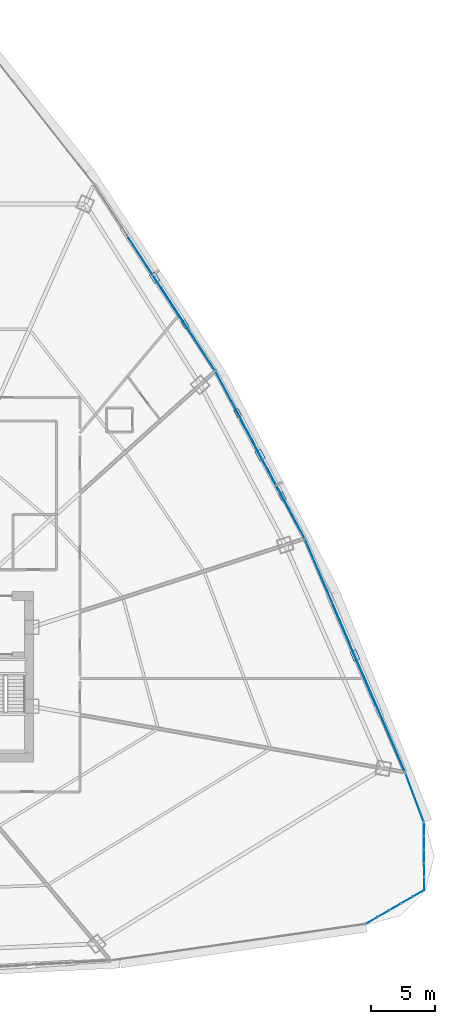
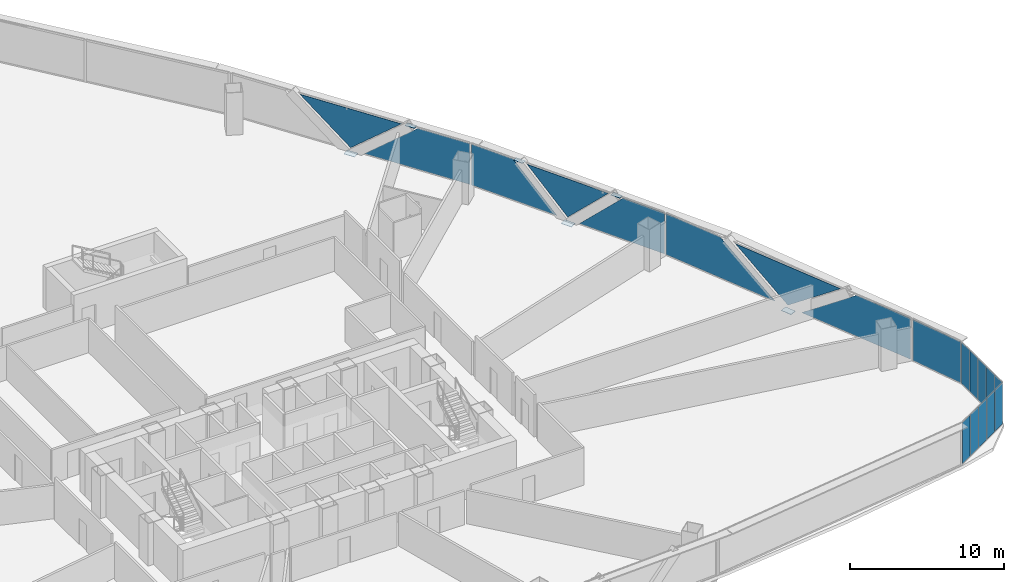
# One storey, part 33 of 42: 25 plates, 6 elements without a shape of their own.
"""IFC4 building model written with IfcOpenShell, lengths in metres."""

import ifcopenshell
import ifcopenshell.guid

model = None  # the IFC model being written
_history = None  # IfcOwnerHistory: only IFC2X3 demands one
_inside = {}  # id of a spatial element -> (the spatial element, [elements in it])
_under = {}  # id of a project, library or spatial element -> (it, [spatial elements below it])
_declared = {}  # id of a project -> (the project, [libraries it declares])
_typed = {}  # id of a type object -> (the type object, [elements of that type])
_made_of = {}  # id of a material, layer set ... -> (it, [elements and type objects made of it])


def new_model(schema):
    """Start an empty IFC model of exactly this schema.

    Asked for "IFC4X3", IfcOpenShell would pick the latest addendum, in which some entities
    have other attributes; the version numbers below select the first issue.
    IFC2X3 requires an IfcOwnerHistory on every rooted entity: one is made here for all.
    """
    global model, _history
    if schema == "IFC4X3":
        model = ifcopenshell.file(schema_version=(4, 3, 0, 0))
    else:
        model = ifcopenshell.file(schema=schema)
    _inside.clear()
    _under.clear()
    _declared.clear()
    _typed.clear()
    _made_of.clear()
    _history = None
    if model.schema == "IFC2X3":
        org = make("IfcOrganization", Name="unknown")
        user = make(
            "IfcPersonAndOrganization",
            ThePerson=make("IfcPerson", FamilyName="unknown"),
            TheOrganization=org,
        )
        app = make(
            "IfcApplication",
            ApplicationDeveloper=org,
            Version="unknown",
            ApplicationFullName="unknown",
            ApplicationIdentifier="unknown",
        )
        _history = make(
            "IfcOwnerHistory",
            OwningUser=user,
            OwningApplication=app,
            ChangeAction="ADDED",
            CreationDate=0,
        )
    return model


def make(cls, **values):
    """One entity of the class cls with the attributes given. An attribute that is None is left unset."""
    return model.create_entity(
        cls, **{name: value for name, value in values.items() if value is not None}
    )


def rooted(cls, **values):
    """An entity with a GlobalId (a new one), such as an element, a storey or a relation."""
    return make(cls, GlobalId=ifcopenshell.guid.new(), OwnerHistory=_history, **values)


def si_unit(unit_type, name, prefix=None):
    """IfcSIUnit, for example si_unit("LENGTHUNIT", "METRE", prefix="MILLI")."""
    return make("IfcSIUnit", UnitType=unit_type, Prefix=prefix, Name=name)


def assignment(units):
    """IfcUnitAssignment: the units of a project."""
    return None if units is None else make("IfcUnitAssignment", Units=units)


def point(xyz):
    """IfcCartesianPoint."""
    return None if xyz is None else make("IfcCartesianPoint", Coordinates=xyz)


def direction(xyz):
    """IfcDirection."""
    return None if xyz is None else make("IfcDirection", DirectionRatios=xyz)


def frame(location, z_axis=None, x_axis=None):
    """IfcAxis2Placement3D, a coordinate frame: its origin and axes. An axis left out is left unset."""
    return make(
        "IfcAxis2Placement3D",
        Location=point(location),
        Axis=direction(z_axis),
        RefDirection=direction(x_axis),
    )


def frame_2d(location, x_axis=None):
    """IfcAxis2Placement2D, a coordinate frame in the plane: its origin and x axis."""
    return make(
        "IfcAxis2Placement2D", Location=point(location), RefDirection=direction(x_axis)
    )


def origin():
    """The frame at (0, 0, 0) with its axes left unset."""
    return frame((0.0, 0.0, 0.0))


def origin_2d():
    """The frame at (0, 0) in the plane with its x axis left unset."""
    return frame_2d((0.0, 0.0))


def place(relative_to, where):
    """IfcLocalPlacement: puts the frame where relative to a parent placement (None: the world)."""
    return make(
        "IfcLocalPlacement", PlacementRelTo=relative_to, RelativePlacement=where
    )


def context(
    kind, dimensions, precision=None, world=None, true_north=None, identifier=None
):
    """IfcGeometricRepresentationContext, for example the 3D "Model" context."""
    return make(
        "IfcGeometricRepresentationContext",
        ContextIdentifier=identifier,
        ContextType=kind,
        CoordinateSpaceDimension=dimensions,
        Precision=precision,
        WorldCoordinateSystem=world,
        TrueNorth=true_north,
    )


def subcontext(parent, identifier, kind, view, scale=None):
    """IfcGeometricRepresentationSubContext, for example "Body" below "Model"."""
    return make(
        "IfcGeometricRepresentationSubContext",
        ContextIdentifier=identifier,
        ContextType=kind,
        ParentContext=parent,
        TargetScale=scale,
        TargetView=view,
    )


def project(units=None, contexts=None):
    """IfcProject with its units and contexts."""
    return rooted(
        "IfcProject",
        Name="project",
        RepresentationContexts=contexts,
        UnitsInContext=assignment(units),
    )


def spatial(cls, under=None, at=None, **own):
    """A site, building, storey or space (cls), placed at a placement, below another one or the project."""
    s = rooted(cls, ObjectPlacement=at, **own)
    if under is not None:
        _under.setdefault(under.id(), (under, []))[1].append(s)
    return s


def polyline(points):
    """IfcPolyline through the points."""
    return make("IfcPolyline", Points=[point(p) for p in points])


def profile(cls, at=None, kind="AREA", **sizes):
    """A parametric profile (cls). Its sizes go by their IFC names, for example OverallWidth=200.0."""
    return make(cls, ProfileType=kind, Position=at, **sizes)


def rectangle(**sizes):
    """IfcRectangleProfileDef."""
    return profile("IfcRectangleProfileDef", **sizes)


def outline(outer, holes=None, kind="AREA"):
    """IfcArbitraryClosedProfileDef: a profile drawn as a closed curve; with holes, ...WithVoids."""
    if holes is None:
        return make("IfcArbitraryClosedProfileDef", ProfileType=kind, OuterCurve=outer)
    return make(
        "IfcArbitraryProfileDefWithVoids",
        ProfileType=kind,
        OuterCurve=outer,
        InnerCurves=holes,
    )


def extrude(swept, where, along, depth):
    """IfcExtrudedAreaSolid: the profile swept, set in the frame where, extruded along a direction by depth."""
    return make(
        "IfcExtrudedAreaSolid",
        SweptArea=swept,
        Position=where,
        ExtrudedDirection=direction(along),
        Depth=depth,
    )


def shape(context_of_items, identifier, shape_type, items):
    """IfcShapeRepresentation: the items that make up one representation, for example the "Body"."""
    return make(
        "IfcShapeRepresentation",
        ContextOfItems=context_of_items,
        RepresentationIdentifier=identifier,
        RepresentationType=shape_type,
        Items=items,
    )


def source(mapping_origin, context_of_items, identifier, shape_type, items):
    """IfcRepresentationMap: a shape defined once, which mapped items show again and again."""
    return make(
        "IfcRepresentationMap",
        MappingOrigin=mapping_origin,
        MappedRepresentation=shape(context_of_items, identifier, shape_type, items),
    )


def transform(
    local_origin,
    x_axis=None,
    y_axis=None,
    z_axis=None,
    scale=None,
    scale2=None,
    scale3=None,
    uniform=True,
):
    """IfcCartesianTransformationOperator3D, or its non-uniform kind. x_axis, y_axis, z_axis: its Axis1, 2, 3."""
    if uniform:
        return make(
            "IfcCartesianTransformationOperator3D",
            Axis1=direction(x_axis),
            Axis2=direction(y_axis),
            LocalOrigin=point(local_origin),
            Scale=scale,
            Axis3=direction(z_axis),
        )
    return make(
        "IfcCartesianTransformationOperator3DnonUniform",
        Axis1=direction(x_axis),
        Axis2=direction(y_axis),
        LocalOrigin=point(local_origin),
        Scale=scale,
        Axis3=direction(z_axis),
        Scale2=scale2,
        Scale3=scale3,
    )


def mapped(mapping_source, mapping_target):
    """IfcMappedItem: shows the shape of a source again, moved by a transform."""
    return make(
        "IfcMappedItem", MappingSource=mapping_source, MappingTarget=mapping_target
    )


def material(Name=None, Category=None):
    """IfcMaterial."""
    return make("IfcMaterial", Name=Name, Category=Category)


def layer(
    of_material, thickness, ventilated=None, Name=None, Category=None, Priority=None
):
    """IfcMaterialLayer: one layer of a wall or slab, of a material (None: an air gap)."""
    return make(
        "IfcMaterialLayer",
        Material=of_material,
        LayerThickness=thickness,
        IsVentilated=ventilated,
        Name=Name,
        Category=Category,
        Priority=Priority,
    )


def layer_set(layers, Name=None):
    """IfcMaterialLayerSet."""
    return make("IfcMaterialLayerSet", MaterialLayers=layers, LayerSetName=Name)


def made_of(thing, what):
    """Note that an element or type object is made of a material, layer set ...; save() writes the relation."""
    if what is not None:
        _made_of.setdefault(what.id(), (what, []))[1].append(thing)
    return thing


def type_object(cls, material=None, **own):
    """A type object (cls), such as IfcWallType, which elements share."""
    return made_of(rooted(cls, **own), material)


def element(
    cls,
    number,
    at=None,
    inside=None,
    cuts=None,
    type_object=None,
    material=None,
    context=None,
    identifier="Body",
    shape_type=None,
    held_by="IfcProductDefinitionShape",
    body=None,
    shapes=None,
    **own,
):
    """One element of the class cls, such as IfcWall. Its Tag is "e" and its number.

    at: its placement. inside: the storey or other place that contains it. cuts: it is an
    opening in that element (IfcRelVoidsElement). A single representation is given by context,
    identifier, shape_type and body (its items); several are given by shapes. held_by: the class
    of the entity that holds the representations. save() writes the other relations.
    """
    e = rooted(cls, Tag="e%d" % number, ObjectPlacement=at, **own)
    if body is not None:
        shapes = [shape(context, identifier, shape_type, body)]
    if shapes is not None:
        e.Representation = make(held_by, Representations=shapes)
    if inside is not None:
        _inside.setdefault(inside.id(), (inside, []))[1].append(e)
    if cuts is not None:
        rooted(
            "IfcRelVoidsElement", RelatingBuildingElement=cuts, RelatedOpeningElement=e
        )
    if type_object is not None:
        _typed.setdefault(type_object.id(), (type_object, []))[1].append(e)
    return made_of(e, material)


def aggregate(whole, parts):
    """IfcRelAggregates: a whole, such as a stair, and the parts it consists of."""
    return rooted("IfcRelAggregates", RelatingObject=whole, RelatedObjects=parts)


def save(model, path):
    """Write the relations noted so far, then the file.

    IfcRelAggregates (storeys below a building ...), IfcRelContainedInSpatialStructure (elements
    in a storey), IfcRelDefinesByType, IfcRelAssociatesMaterial and IfcRelDeclares: one each for
    every whole, place, type object, material and project.
    """
    for whole, parts in _under.values():
        aggregate(whole, parts)
    for where, things in _inside.values():
        rooted(
            "IfcRelContainedInSpatialStructure",
            RelatedElements=things,
            RelatingStructure=where,
        )
    for kind, things in _typed.values():
        rooted("IfcRelDefinesByType", RelatedObjects=things, RelatingType=kind)
    for what, things in _made_of.values():
        rooted("IfcRelAssociatesMaterial", RelatedObjects=things, RelatingMaterial=what)
    for by, libraries in _declared.values():
        rooted("IfcRelDeclares", RelatingContext=by, RelatedDefinitions=libraries)
    model.write(path)


model = new_model("IFC4")

# Units and contexts
model_context = context("Model", 3, precision=1e-05, world=origin(), true_north=direction((0.0, 1.0)))
body_context = subcontext(model_context, "Body", "Model", "MODEL_VIEW")
ifc_project = project(units=[si_unit("LENGTHUNIT", "METRE"), si_unit("AREAUNIT", "SQUARE_METRE"), si_unit("VOLUMEUNIT", "CUBIC_METRE"), si_unit("PLANEANGLEUNIT", "RADIAN"), si_unit("MASSUNIT", "GRAM", prefix="KILO"), si_unit("THERMODYNAMICTEMPERATUREUNIT", "KELVIN"), si_unit("POWERUNIT", "WATT")], contexts=[model_context])

# Site, building, storey
site_placement = place(None, origin())
site = spatial("IfcSite", under=ifc_project, at=site_placement, CompositionType="ELEMENT")
building_placement = place(site_placement, origin())
building = spatial("IfcBuilding", under=site, at=building_placement, Name="Yunzhuo Pagoda Commons", CompositionType="ELEMENT")
storey_placement = place(building_placement, frame((0.0, 0.0, 41.2900390625)))
storey = spatial("IfcBuildingStorey", under=building, at=storey_placement, Name="L10", CompositionType="ELEMENT", Elevation=41.2900390625)

# Curtain wall, plates
ifc_material_1 = material(Name="Anodized aluminium 6063-T6", Category="aluminium")
ifc_layer_1 = layer(ifc_material_1, 0.1650390625)
ifc_layer_set_1 = layer_set([ifc_layer_1], Name="Anodized aluminium 6063-T6")
curtain_wall_type_1 = type_object("IfcCurtainWallType", Name="CW-LOW Low-Zone Ribbon Curtain Wall", PredefinedType="NOTDEFINED", material=ifc_layer_set_1)
curtain_wall_1_placement = place(storey_placement, origin())
curtain_wall_1 = element("IfcCurtainWall", 1, at=curtain_wall_1_placement, inside=storey, type_object=curtain_wall_type_1, Name="L10 curtain wall CW-L10-F2B2", PredefinedType="NOTDEFINED")
ifc_material_2 = material(Name="Tempered low-e double glazing", Category="glass")
ifc_layer_2 = layer(ifc_material_2, 0.028076171875)
ifc_layer_set_2 = layer_set([ifc_layer_2], Name="Tempered low-e double glazing")
plate_type_1 = type_object("IfcPlateType", Name="CW-LOW-P Low-E Double Glazing 28", PredefinedType="CURTAIN_PANEL", material=ifc_layer_set_2)
plate_1_placement = place(storey_placement, frame((87.976318359375, 30.45361328125, 1.68505859375), z_axis=(0.918865619656, 0.394570618538, 0.0), x_axis=(-0.394570618538, 0.918865619656, 0.0)))
plate_1 = element("IfcPlate", 2, at=plate_1_placement, type_object=plate_type_1, Name="CW panel 1.1 lite 1", PredefinedType="CURTAIN_PANEL", context=body_context, shape_type="SweptSolid", body=[
    extrude(outline(polyline([(-4.421630859375, -1.625), (4.421630859375, -1.625), (-0.052978515625, 1.625), (-4.421630859375, 1.625), (-4.421630859375, -1.625)])), origin(), (0.0, 0.0, 1.0), 0.028076171875),
])
plate_2_placement = place(storey_placement, frame((85.775146484375, 35.503662109375, 1.759765625), z_axis=(0.918865619656, 0.394570618538, 0.0), x_axis=(-0.394570618538, 0.918865619656, 0.0)))
plate_2 = element("IfcPlate", 3, at=plate_2_placement, type_object=plate_type_1, Name="CW panel 1.1 lite 2", PredefinedType="CURTAIN_PANEL", context=body_context, shape_type="SweptSolid", body=[
    extrude(outline(polyline([(-4.2685546875, 1.55029296875), (0.0, -1.55029296875), (4.2685546875, 1.55029296875), (-4.2685546875, 1.55029296875)])), origin(), (0.0, 0.0, 1.0), 0.028076171875),
])
plate_3_placement = place(storey_placement, frame((83.629150390625, 40.577392578125, 1.68505859375), z_axis=(0.918865619656, 0.394570618538, 0.0), x_axis=(-0.394570618538, 0.918865619656, 0.0)))
plate_3 = element("IfcPlate", 4, at=plate_3_placement, type_object=plate_type_1, Name="CW panel 1.1 lite 3", PredefinedType="CURTAIN_PANEL", context=body_context, shape_type="SweptSolid", body=[
    extrude(outline(polyline([(-4.421630859375, -1.625), (4.421630859375, -1.625), (4.421630859375, 1.625), (0.052978515625, 1.625), (-4.421630859375, -1.625)])), origin(), (0.0, 0.0, 1.0), 0.028076171875),
])
aggregate(curtain_wall_1, [plate_1, plate_2, plate_3])

curtain_wall_2_placement = place(storey_placement, origin())
curtain_wall_2 = element("IfcCurtainWall", 5, at=curtain_wall_2_placement, inside=storey, type_object=curtain_wall_type_1, Name="L10 curtain wall CW-L10-F2B3", PredefinedType="NOTDEFINED")
plate_4_placement = place(storey_placement, frame((80.29345703125, 47.63427734375, 1.68505859375), z_axis=(0.88230916381, 0.470670308662, 0.0), x_axis=(-0.470670308662, 0.88230916381, 0.0)))
plate_4 = element("IfcPlate", 6, at=plate_4_placement, type_object=plate_type_1, Name="CW panel 1.1 lite 1", PredefinedType="CURTAIN_PANEL", context=body_context, shape_type="SweptSolid", body=[
    extrude(outline(polyline([(-3.26171875, -1.625), (3.26171875, -1.625), (-0.0791015625, 1.625), (-3.26171875, 1.625), (-3.26171875, -1.625)])), origin(), (0.0, 0.0, 1.0), 0.028076171875),
])
plate_5_placement = place(storey_placement, frame((78.320556640625, 51.268798828125, 1.7900390625), z_axis=(0.88230916381, 0.470670308662, 0.0), x_axis=(-0.470670308662, 0.88230916381, 0.0)))
plate_5 = element("IfcPlate", 7, at=plate_5_placement, type_object=plate_type_1, Name="CW panel 1.1 lite 2", PredefinedType="CURTAIN_PANEL", context=body_context, shape_type="SweptSolid", body=[
    extrude(outline(polyline([(-3.12451171875, 1.52001953125), (0.0, -1.52001953125), (3.12451171875, 1.52001953125), (-3.12451171875, 1.52001953125)])), origin(), (0.0, 0.0, 1.0), 0.028076171875),
])
plate_6_placement = place(storey_placement, frame((76.400634765625, 54.931640625, 1.68505859375), z_axis=(0.88230916381, 0.470670308662, 0.0), x_axis=(-0.470670308662, 0.88230916381, 0.0)))
plate_6 = element("IfcPlate", 8, at=plate_6_placement, type_object=plate_type_1, Name="CW panel 1.1 lite 3", PredefinedType="CURTAIN_PANEL", context=body_context, shape_type="SweptSolid", body=[
    extrude(outline(polyline([(-3.26171875, -1.625), (3.26171875, -1.625), (3.26171875, 1.625), (0.078857421875, 1.625), (-3.26171875, -1.625)])), origin(), (0.0, 0.0, 1.0), 0.028076171875),
])
aggregate(curtain_wall_2, [plate_4, plate_5, plate_6])

curtain_wall_3_placement = place(storey_placement, origin())
curtain_wall_3 = element("IfcCurtainWall", 9, at=curtain_wall_3_placement, inside=storey, type_object=curtain_wall_type_1, Name="L10 curtain wall CW-L10-F2B4", PredefinedType="NOTDEFINED")
plate_7_placement = place(storey_placement, frame((72.69970703125, 61.1552734375, 1.68505859375), z_axis=(0.838709783089, 0.54457864423, 0.0), x_axis=(-0.54457864423, 0.838709783089, 0.0)))
plate_7 = element("IfcPlate", 10, at=plate_7_placement, type_object=plate_type_1, Name="CW panel 1.1 lite 1", PredefinedType="CURTAIN_PANEL", context=body_context, shape_type="SweptSolid", body=[
    extrude(outline(polyline([(-3.85693359375, -1.625), (3.85693359375, -1.625), (-0.064697265625, 1.625), (-3.85693359375, 1.625), (-3.85693359375, -1.625)])), origin(), (0.0, 0.0, 1.0), 0.028076171875),
])
plate_8_placement = place(storey_placement, frame((70.03955078125, 65.197265625, 1.771728515625), z_axis=(0.838709783089, 0.54457864423, 0.0), x_axis=(-0.54457864423, 0.838709783089, 0.0)))
plate_8 = element("IfcPlate", 11, at=plate_8_placement, type_object=plate_type_1, Name="CW panel 1.1 lite 2", PredefinedType="CURTAIN_PANEL", context=body_context, shape_type="SweptSolid", body=[
    extrude(outline(polyline([(-3.71240234375, 1.5380859375), (0.0, -1.538330078125), (3.71240234375, 1.5380859375), (-3.71240234375, 1.5380859375)])), origin(), (0.0, 0.0, 1.0), 0.028076171875),
])
aggregate(curtain_wall_3, [plate_7, plate_8])

# Plates
ifc_material_3 = material(Name="Structural steel Q355B", Category="steel")
ifc_layer_3 = layer(ifc_material_3, 0.028076171875)
ifc_layer_set_3 = layer_set([ifc_layer_3], Name="Structural steel Q355B")
plate_type_2 = type_object("IfcPlateType", Name="SP-ND1 Lattice Node Cap Plate 800x500x28", PredefinedType="USERDEFINED", material=ifc_layer_set_3)
shared_shape_1 = source(origin(), body_context, "Body", "SweptSolid", [
    extrude(rectangle(XDim=0.800048828125, YDim=0.5, at=origin_2d()), origin(), (0.0, 0.0, 1.0), 0.028076171875),
])
for number, where, z_axis, x_axis, name in (
    (12, (85.815673828125, 35.52099609375, -0.27392578125), (0.0, 0.0, 1.0), (-0.394567453861, 0.918866978596, 0.0), "L10 diamond node plate F2.1A"),
    (13, (78.359619140625, 51.28955078125, -0.27392578125), (0.0, 0.0, 1.0), (-0.470673134105, 0.882307656564, 0.0), "L10 diamond node plate F2.2A"),
    (14, (70.076416015625, 65.22119140625, -0.27392578125), (0.0, 0.0, 1.0), (-0.544580483437, 0.838708588879, 0.0), "L10 diamond node plate F2.3A"),
):
    element("IfcPlate", number, at=place(storey_placement, frame(where, z_axis=z_axis, x_axis=x_axis)), inside=storey, type_object=plate_type_2, Name=name, ObjectType="STIFFENER_PLATE", PredefinedType="USERDEFINED", context=body_context, shape_type="MappedRepresentation", body=[
        mapped(shared_shape_1, transform((0.0, 0.0, 0.0), scale=1.0)),
    ])
shared_shape_2 = source(origin(), body_context, "Body", "SweptSolid", [
    extrude(rectangle(XDim=0.699951171875, YDim=0.35009765625, at=origin_2d()), origin(), (0.0, 0.0, 1.0), 0.035888671875),
])
for number, where, z_axis, x_axis, name in (
    (15, (80.115478515625, 47.99755859375, 3.33203125), (0.0, 0.0, 1.0), (-0.470673134105, 0.882307656564, 0.0), "L10 setback lattice tie plate F2.2L"),
    (16, (76.603515625, 54.581298828125, 3.33203125), (0.0, 0.0, 1.0), (-0.470673134105, 0.882307656564, 0.0), "L10 setback lattice tie plate F2.2R"),
    (17, (72.4619140625, 61.547119140625, 3.33203125), (0.0, 0.0, 1.0), (-0.544580483437, 0.838708588879, 0.0), "L10 setback lattice tie plate F2.3L"),
):
    element("IfcPlate", number, at=place(storey_placement, frame(where, z_axis=z_axis, x_axis=x_axis)), inside=storey, type_object=plate_type_2, Name=name, ObjectType="STIFFENER_PLATE", PredefinedType="USERDEFINED", context=body_context, shape_type="MappedRepresentation", body=[
        mapped(shared_shape_2, transform((0.0, 0.0, 0.0), scale=1.0)),
    ])

# Curtain wall, plate
curtain_wall_4_placement = place(storey_placement, origin())
curtain_wall_4 = element("IfcCurtainWall", 18, at=curtain_wall_4_placement, inside=storey, type_object=curtain_wall_type_1, Name="L10 curtain wall CW-L10-F2B1", PredefinedType="NOTDEFINED")
shared_shape_3 = source(origin(), body_context, "Body", "SweptSolid", [
    extrude(rectangle(XDim=4.019775390625, YDim=0.028076171875, at=origin_2d()), origin(), (0.0, 0.0, 1.0), 3.25),
])
plate_9_placement = place(storey_placement, frame((90.518798828125, 24.3251953125, 0.06005859375), z_axis=(0.0, 0.0, 1.0), x_axis=(-0.353150780113, 0.935566420146, 0.0)))
plate_9 = element("IfcPlate", 19, at=plate_9_placement, type_object=plate_type_1, Name="CW panel 1.1", PredefinedType="CURTAIN_PANEL", context=body_context, shape_type="MappedRepresentation", body=[
    mapped(shared_shape_3, transform((0.0, 0.0, 0.0), scale=1.0)),
])
aggregate(curtain_wall_4, [plate_9])

# Curtain wall, plates
ifc_layer_4 = layer(ifc_material_1, 0.1298828125)
ifc_layer_set_4 = layer_set([ifc_layer_4], Name="Anodized aluminium 6063-T6")
curtain_wall_type_2 = type_object("IfcCurtainWallType", Name="CW-VTX Rounded Corner Curtain Wall", PredefinedType="NOTDEFINED", material=ifc_layer_set_4)
curtain_wall_5_placement = place(storey_placement, origin())
curtain_wall_5 = element("IfcCurtainWall", 20, at=curtain_wall_5_placement, inside=storey, type_object=curtain_wall_type_2, Name="L10 curtain wall CW-L10-VTX2S1", PredefinedType="NOTDEFINED")
ifc_layer_5 = layer(ifc_material_2, 0.02587890625)
ifc_layer_set_5 = layer_set([ifc_layer_5], Name="Tempered low-e double glazing")
plate_type_3 = type_object("IfcPlateType", Name="CW-VTX-P Low-E Double Glazing 26", PredefinedType="CURTAIN_PANEL", material=ifc_layer_set_5)
shared_shape_4 = source(origin(), body_context, "Body", "SweptSolid", [
    extrude(rectangle(XDim=0.990478515625, YDim=0.028076171875, at=origin_2d()), origin(), (0.0, 0.0, 1.0), 3.260009765625),
])
plate_10_placement = place(storey_placement, frame((87.144287109375, 14.677001953125, 0.05517578125), z_axis=(0.0, 0.0, 1.0), x_axis=(0.865423307498, 0.501041414295, 0.0)))
plate_10 = element("IfcPlate", 21, at=plate_10_placement, type_object=plate_type_3, Name="CW panel 1.1", PredefinedType="CURTAIN_PANEL", context=body_context, shape_type="MappedRepresentation", body=[
    mapped(shared_shape_4, transform((0.0, 0.0, 0.0), scale=1.0)),
])
plate_11_placement = place(storey_placement, frame((90.83447265625, 16.8134765625, 0.05517578125), z_axis=(0.0, 0.0, 1.0), x_axis=(0.865423307498, 0.501041414295, 0.0)))
plate_11 = element("IfcPlate", 22, at=plate_11_placement, type_object=plate_type_3, Name="CW panel 5.1", PredefinedType="CURTAIN_PANEL", context=body_context, shape_type="MappedRepresentation", body=[
    mapped(shared_shape_4, transform((0.0, 0.0, 0.0), scale=1.0)),
])

curtain_wall_6_placement = place(storey_placement, origin())
curtain_wall_6 = element("IfcCurtainWall", 23, at=curtain_wall_6_placement, inside=storey, type_object=curtain_wall_type_2, Name="L10 curtain wall CW-L10-VTX2S2", PredefinedType="NOTDEFINED")
plate_12_placement = place(storey_placement, frame((91.268798828125, 17.56982421875, 0.05517578125), z_axis=(0.0, 0.0, 1.0), x_axis=(-0.003579061808, 0.999993595138, 0.0)))
plate_12 = element("IfcPlate", 24, at=plate_12_placement, type_object=plate_type_3, Name="CW panel 1.1", PredefinedType="CURTAIN_PANEL", context=body_context, shape_type="MappedRepresentation", body=[
    mapped(shared_shape_4, transform((0.0, 0.0, 0.0), scale=1.0)),
])
plate_13_placement = place(storey_placement, frame((91.25341796875, 21.833984375, 0.05517578125), z_axis=(0.0, 0.0, 1.0), x_axis=(-0.003579061808, 0.999993595138, 0.0)))
plate_13 = element("IfcPlate", 25, at=plate_13_placement, type_object=plate_type_3, Name="CW panel 5.1", PredefinedType="CURTAIN_PANEL", context=body_context, shape_type="MappedRepresentation", body=[
    mapped(shared_shape_4, transform((0.0, 0.0, 0.0), scale=1.0)),
])

# Plate
shared_shape_5 = source(origin(), body_context, "Body", "SweptSolid", [
    extrude(rectangle(XDim=1.017822265625, YDim=0.028076171875, at=origin_2d()), origin(), (0.0, 0.0, 1.0), 3.260009765625),
])
plate_14_placement = place(storey_placement, frame((88.060791015625, 15.20751953125, 0.05517578125), z_axis=(0.0, 0.0, 1.0), x_axis=(0.865423307498, 0.501041414295, 0.0)))
plate_14 = element("IfcPlate", 26, at=plate_14_placement, type_object=plate_type_3, Name="CW panel 2.1", PredefinedType="CURTAIN_PANEL", context=body_context, shape_type="MappedRepresentation", body=[
    mapped(shared_shape_5, transform((0.0, 0.0, 0.0), scale=1.0)),
])

plate_15_placement = place(storey_placement, frame((88.9892578125, 15.7451171875, 0.05517578125), z_axis=(0.0, 0.0, 1.0), x_axis=(0.865423307498, 0.501041414295, 0.0)))
plate_15 = element("IfcPlate", 27, at=plate_15_placement, type_object=plate_type_3, Name="CW panel 3.1", PredefinedType="CURTAIN_PANEL", context=body_context, shape_type="MappedRepresentation", body=[
    mapped(shared_shape_5, transform((0.0, 0.0, 0.0), scale=1.0)),
])

plate_16_placement = place(storey_placement, frame((89.91796875, 16.28271484375, 0.05517578125), z_axis=(0.0, 0.0, 1.0), x_axis=(0.865423307498, 0.501041414295, 0.0)))
plate_16 = element("IfcPlate", 28, at=plate_16_placement, type_object=plate_type_3, Name="CW panel 4.1", PredefinedType="CURTAIN_PANEL", context=body_context, shape_type="MappedRepresentation", body=[
    mapped(shared_shape_5, transform((0.0, 0.0, 0.0), scale=1.0)),
])

aggregate(curtain_wall_5, [plate_10, plate_14, plate_15, plate_16, plate_11])

plate_17_placement = place(storey_placement, frame((91.264892578125, 18.62890625, 0.05517578125), z_axis=(0.0, 0.0, 1.0), x_axis=(-0.003579061808, 0.999993595138, 0.0)))
plate_17 = element("IfcPlate", 29, at=plate_17_placement, type_object=plate_type_3, Name="CW panel 2.1", PredefinedType="CURTAIN_PANEL", context=body_context, shape_type="MappedRepresentation", body=[
    mapped(shared_shape_5, transform((0.0, 0.0, 0.0), scale=1.0)),
])

plate_18_placement = place(storey_placement, frame((91.260986328125, 19.701904296875, 0.05517578125), z_axis=(0.0, 0.0, 1.0), x_axis=(-0.003579061808, 0.999993595138, 0.0)))
plate_18 = element("IfcPlate", 30, at=plate_18_placement, type_object=plate_type_3, Name="CW panel 3.1", PredefinedType="CURTAIN_PANEL", context=body_context, shape_type="MappedRepresentation", body=[
    mapped(shared_shape_5, transform((0.0, 0.0, 0.0), scale=1.0)),
])

plate_19_placement = place(storey_placement, frame((91.25732421875, 20.774658203125, 0.05517578125), z_axis=(0.0, 0.0, 1.0), x_axis=(-0.003579061808, 0.999993595138, 0.0)))
plate_19 = element("IfcPlate", 31, at=plate_19_placement, type_object=plate_type_3, Name="CW panel 4.1", PredefinedType="CURTAIN_PANEL", context=body_context, shape_type="MappedRepresentation", body=[
    mapped(shared_shape_5, transform((0.0, 0.0, 0.0), scale=1.0)),
])

aggregate(curtain_wall_6, [plate_12, plate_17, plate_18, plate_19, plate_13])

save(model, "model.ifc")
